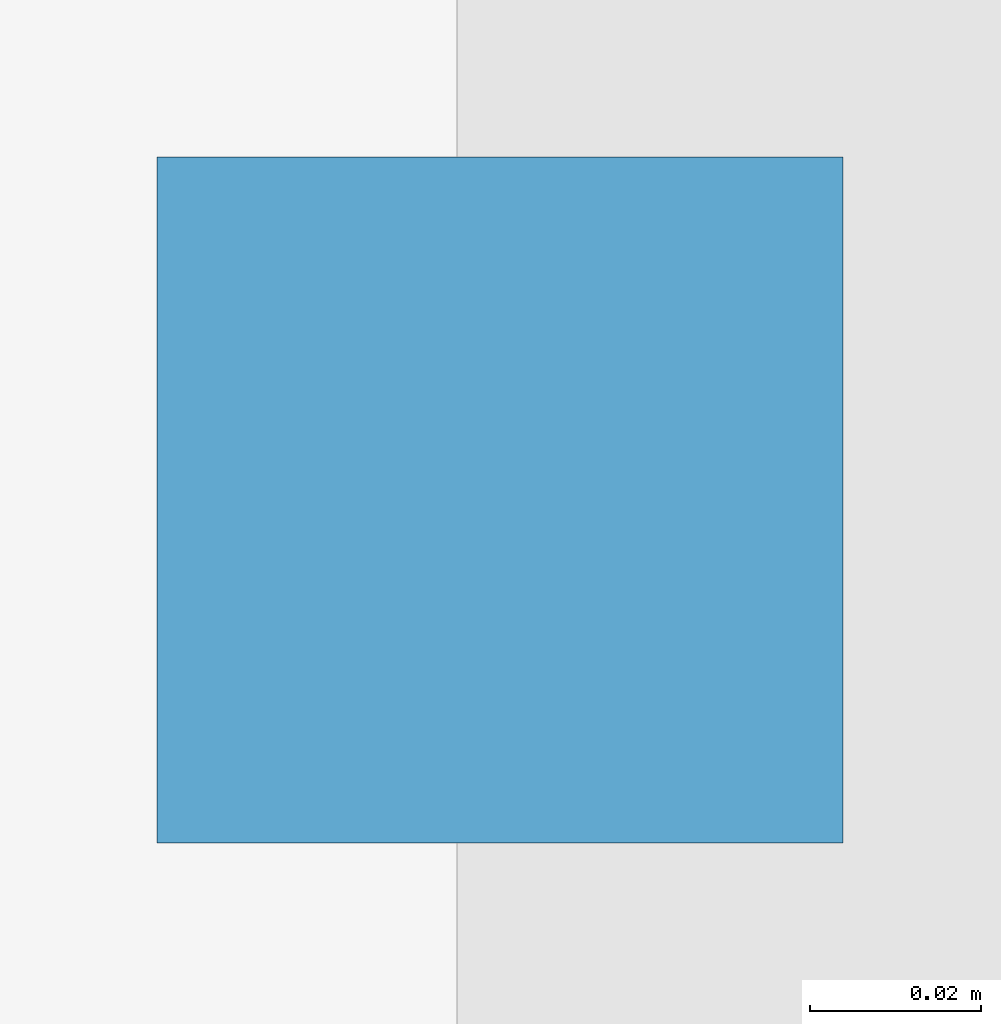
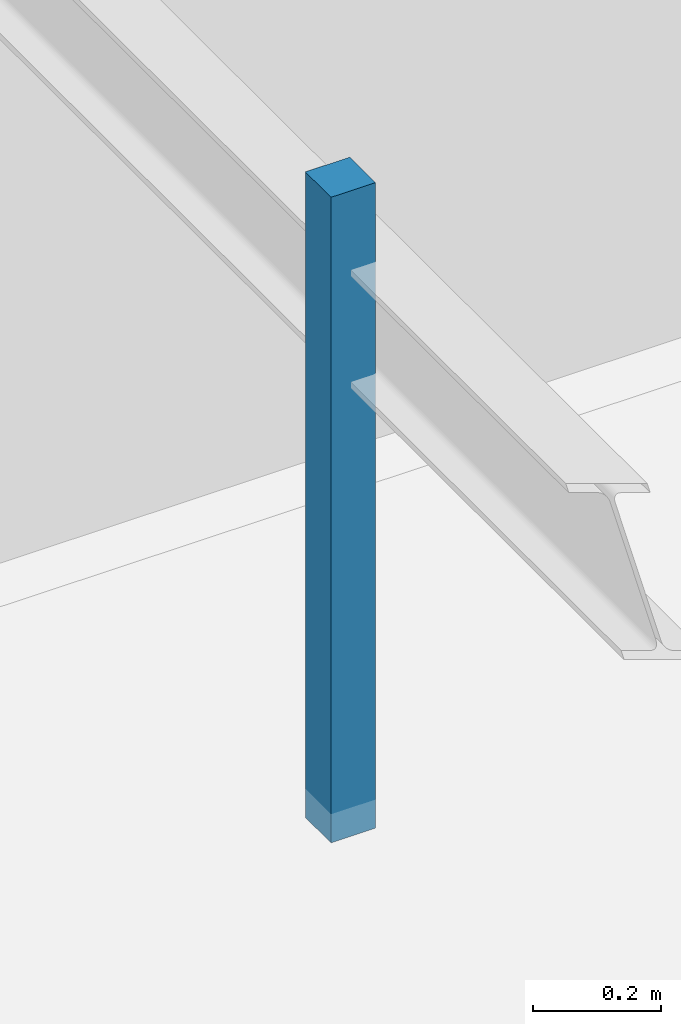
# One storey, part 54 of 63: 1 discrete accessory.
"""IFC4 building model written with IfcOpenShell, lengths in metres."""

from ifc_helpers import new_model, si_unit, direction, frame, origin, origin_2d, place, context, subcontext, project, spatial, rectangle, extrude, material, layer, layer_set, type_object, element, save


model = new_model("IFC4")

# Units and contexts
model_context = context("Model", 3, precision=1e-05, world=origin(), true_north=direction((0.0, 1.0)))
body_context = subcontext(model_context, "Body", "Model", "MODEL_VIEW")
ifc_project = project(units=[si_unit("LENGTHUNIT", "METRE"), si_unit("AREAUNIT", "SQUARE_METRE"), si_unit("VOLUMEUNIT", "CUBIC_METRE"), si_unit("PLANEANGLEUNIT", "RADIAN"), si_unit("MASSUNIT", "GRAM", prefix="KILO")], contexts=[model_context])

# Site, building, storey
site_placement = place(None, origin())
site = spatial("IfcSite", under=ifc_project, at=site_placement, CompositionType="ELEMENT")
building_placement = place(site_placement, origin())
building = spatial("IfcBuilding", under=site, at=building_placement, Name="Varnabhumi Central Station", CompositionType="ELEMENT")
storey_placement = place(building_placement, frame((0.0, 0.0, 20.39990234375)))
storey = spatial("IfcBuildingStorey", under=building, at=storey_placement, Name="L04", CompositionType="ELEMENT", Elevation=20.39990234375)

# Discrete accessory
ifc_material = material(Name="Structural steel E350", Category="steel")
ifc_layer = layer(ifc_material, 0.159912109375, Name="Structural steel E350", Category="steel")
ifc_layer_set = layer_set([ifc_layer], Name="Structural steel E350")
discrete_accessory_type = type_object("IfcDiscreteAccessoryType", Name="ACC-SHADE-BRKT", PredefinedType="BRACKET", material=ifc_layer_set)
discrete_accessory_placement = place(storey_placement, frame((115.949951171875, 4.5, 2.840087890625), z_axis=(0.0, 0.0, 1.0), x_axis=(1.0, 0.0, 0.0)))
element("IfcDiscreteAccessory", 1, at=discrete_accessory_placement, inside=storey, type_object=discrete_accessory_type, Name="Signalling and Telecom Spares Store Ceiling Hanger", PredefinedType="BRACKET", context=body_context, shape_type="SweptSolid", body=[
    extrude(rectangle(XDim=0.080078125, YDim=0.080078125, at=origin_2d()), origin(), (0.0, 0.0, 1.0), 1.22998046875),
])

save(model, "model.ifc")
